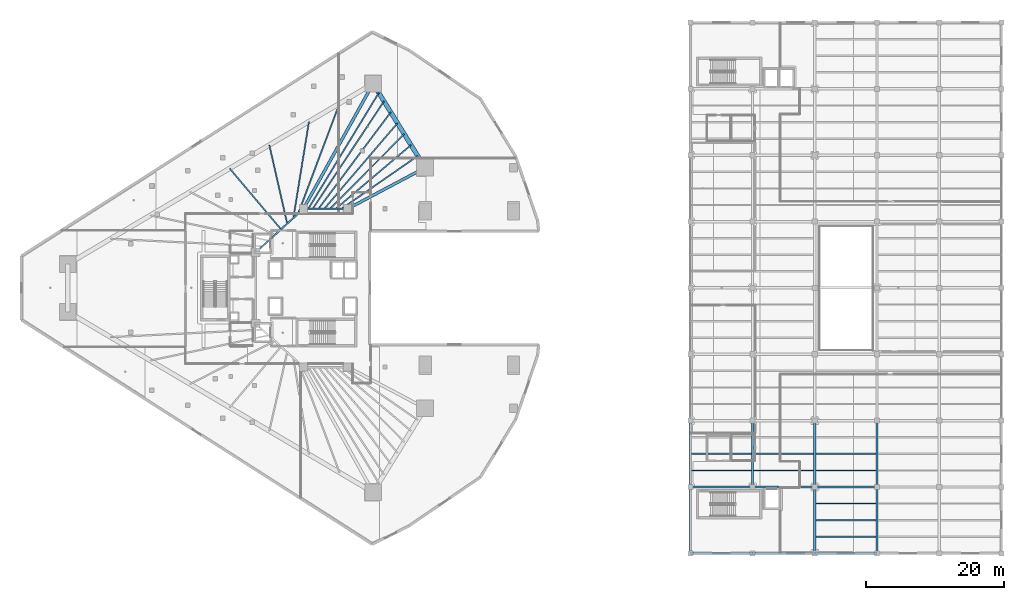
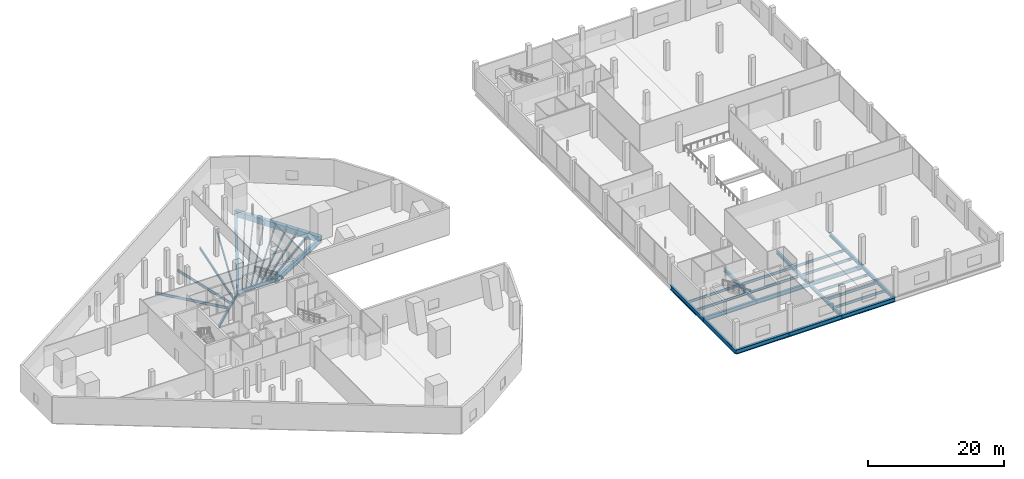
# One storey, part 2 of 47: 38 beams.
"""IFC4 building model written with IfcOpenShell, lengths in metres."""

from ifc_helpers import new_model, si_unit, direction, frame, origin, origin_2d, place, context, subcontext, project, spatial, rectangle, i_section, extrude, material, material_profile, profile_set, type_object, element, save


model = new_model("IFC4")

# Units and contexts
model_context = context("Model", 3, precision=1e-05, world=origin(), true_north=direction((0.0, 1.0)))
body_context = subcontext(model_context, "Body", "Model", "MODEL_VIEW")
ifc_project = project(units=[si_unit("LENGTHUNIT", "METRE"), si_unit("AREAUNIT", "SQUARE_METRE"), si_unit("VOLUMEUNIT", "CUBIC_METRE"), si_unit("PLANEANGLEUNIT", "RADIAN"), si_unit("MASSUNIT", "GRAM", prefix="KILO")], contexts=[model_context])

# Site, building, storey
site_placement = place(None, origin())
site = spatial("IfcSite", under=ifc_project, at=site_placement, CompositionType="ELEMENT")
building_placement = place(site_placement, origin())
building = spatial("IfcBuilding", under=site, at=building_placement, Name="Qorvath Tower", CompositionType="ELEMENT")
storey_placement = place(building_placement, frame((0.0, 0.0, 12.0)))
storey = spatial("IfcBuildingStorey", under=building, at=storey_placement, Name="L02", CompositionType="ELEMENT", Elevation=12.0)

# Beams
ifc_material_1 = material(Name="Steel ASTM A992 Grade 50", Category="steel")
ifc_material_profile_1 = material_profile(ifc_material_1, i_section(OverallWidth=0.422119140625, OverallDepth=0.93310546875, WebThickness=0.021240234375, FlangeThickness=0.039794921875, FilletRadius=0.02392578125, at=origin_2d()), Name="W36x262")
ifc_profile_set_1 = profile_set([ifc_material_profile_1], Name="Steel ASTM A992 Grade 50")
beam_type_1 = type_object("IfcBeamType", Name="BM-FG1", PredefinedType="BEAM", material=ifc_profile_set_1)
beam_1_placement = place(storey_placement, frame((-23.60009765625, 11.449951171875, -0.7265625), z_axis=(0.486174725137, 0.873861623278, 0.0), x_axis=(-0.873861623278, 0.486174725137, 0.0)))
element("IfcBeam", 1, at=beam_1_placement, inside=storey, type_object=beam_type_1, Name="Radial Floor Girder CC1-MC6 L02", PredefinedType="BEAM", context=body_context, shape_type="SweptSolid", body=[
    extrude(i_section(OverallWidth=0.422119140625, OverallDepth=0.93310546875, WebThickness=0.021240234375, FlangeThickness=0.039794921875, FilletRadius=0.02392578125, at=origin_2d()), origin(), (0.0, 0.0, 1.0), 20.7333984375),
])
beam_2_placement = place(storey_placement, frame((-17.199951171875, 11.449951171875, -0.7265625), z_axis=(0.883116467191, 0.469153818461, 0.0), x_axis=(-0.469153818461, 0.883116467191, 0.0)))
element("IfcBeam", 2, at=beam_2_placement, inside=storey, type_object=beam_type_1, Name="Radial Floor Girder CC2-MC5 L02", PredefinedType="BEAM", context=body_context, shape_type="SweptSolid", body=[
    extrude(i_section(OverallWidth=0.422119140625, OverallDepth=0.93310546875, WebThickness=0.021240234375, FlangeThickness=0.039794921875, FilletRadius=0.02392578125, at=origin_2d()), origin(), (0.0, 0.0, 1.0), 12.682373046875),
])
ifc_material_2 = material(Name="Steel ASTM A992 Grade 50", Category="steel")
ifc_material_profile_2 = material_profile(ifc_material_2, i_section(OverallWidth=0.381103515625, OverallDepth=0.77294921875, WebThickness=0.0166015625, FlangeThickness=0.027099609375, FilletRadius=0.01904296875, at=origin_2d()), Name="W30x173")
ifc_profile_set_2 = profile_set([ifc_material_profile_2], Name="Steel ASTM A992 Grade 50")
beam_type_2 = type_object("IfcBeamType", Name="BM-FG3", PredefinedType="BEAM", material=ifc_profile_set_2)
for number, where, z_axis, x_axis, name in (
    (3, (32.39990234375, -38.39990234375, -0.646484375), (1.0, 0.0, 0.0), (0.0, 1.0, 0.0), "Library E-W Girder L02-1-1"),
    (4, (41.39990234375, -38.39990234375, -0.646484375), (1.0, 0.0, 0.0), (0.0, 1.0, 0.0), "Library E-W Girder L02-1-2"),
    (5, (50.39990234375, -38.39990234375, -0.646484375), (1.0, 0.0, 0.0), (0.0, 1.0, 0.0), "Library E-W Girder L02-1-3"),
):
    element("IfcBeam", number, at=place(storey_placement, frame(where, z_axis=z_axis, x_axis=x_axis)), inside=storey, type_object=beam_type_2, Name=name, PredefinedType="BEAM", context=body_context, shape_type="SweptSolid", body=[
        extrude(i_section(OverallWidth=0.381103515625, OverallDepth=0.77294921875, WebThickness=0.0166015625, FlangeThickness=0.027099609375, FilletRadius=0.01904296875, at=origin_2d()), origin(), (0.0, 0.0, 1.0), 9.0),
    ])
beam_3_placement = place(storey_placement, frame((32.39990234375, -38.39990234375, -0.646484375), z_axis=(0.0, 1.0, 0.0), x_axis=(-1.0, 0.0, 0.0)))
element("IfcBeam", 6, at=beam_3_placement, inside=storey, type_object=beam_type_2, Name="Library N-S Girder L02-1-1", PredefinedType="BEAM", context=body_context, shape_type="SweptSolid", body=[
    extrude(i_section(OverallWidth=0.381103515625, OverallDepth=0.77294921875, WebThickness=0.0166015625, FlangeThickness=0.027099609375, FilletRadius=0.01904296875, at=origin_2d()), origin(), (0.0, 0.0, 1.0), 9.599853515625),
])
beam_4_placement = place(storey_placement, frame((32.39990234375, -28.800048828125, -0.646484375), z_axis=(0.0, 1.0, 0.0), x_axis=(-1.0, 0.0, 0.0)))
element("IfcBeam", 7, at=beam_4_placement, inside=storey, type_object=beam_type_2, Name="Library N-S Girder L02-1-2", PredefinedType="BEAM", context=body_context, shape_type="SweptSolid", body=[
    extrude(i_section(OverallWidth=0.381103515625, OverallDepth=0.77294921875, WebThickness=0.0166015625, FlangeThickness=0.027099609375, FilletRadius=0.01904296875, at=origin_2d()), origin(), (0.0, 0.0, 1.0), 9.60009765625),
])
ifc_material_3 = material(Name="Steel ASTM A992 Grade 50", Category="steel")
ifc_material_profile_3 = material_profile(ifc_material_3, i_section(OverallWidth=0.35595703125, OverallDepth=0.696044921875, WebThickness=0.015380859375, FlangeThickness=0.02490234375, FilletRadius=0.01806640625, at=origin_2d()), Name="W27x146")
ifc_profile_set_3 = profile_set([ifc_material_profile_3], Name="Steel ASTM A992 Grade 50")
beam_type_3 = type_object("IfcBeamType", Name="BM-FG4", PredefinedType="BEAM", material=ifc_profile_set_3)
for number, where, z_axis, x_axis, name in (
    (8, (32.39990234375, -28.800048828125, -0.60791015625), (1.0, 0.0, 0.0), (0.0, 1.0, 0.0), "Library E-W Girder L02-2-1"),
    (9, (41.39990234375, -28.800048828125, -0.60791015625), (1.0, 0.0, 0.0), (0.0, 1.0, 0.0), "Library E-W Girder L02-2-2"),
    (10, (50.39990234375, -28.800048828125, -0.60791015625), (1.0, 0.0, 0.0), (0.0, 1.0, 0.0), "Library E-W Girder L02-2-3"),
):
    element("IfcBeam", number, at=place(storey_placement, frame(where, z_axis=z_axis, x_axis=x_axis)), inside=storey, type_object=beam_type_3, Name=name, PredefinedType="BEAM", context=body_context, shape_type="SweptSolid", body=[
        extrude(i_section(OverallWidth=0.35595703125, OverallDepth=0.696044921875, WebThickness=0.015380859375, FlangeThickness=0.02490234375, FilletRadius=0.01806640625, at=origin_2d()), origin(), (0.0, 0.0, 1.0), 9.0),
    ])
ifc_material_4 = material(Name="Steel ASTM A992 Grade 50", Category="steel")
ifc_material_profile_4 = material_profile(ifc_material_4, i_section(OverallWidth=0.324951171875, OverallDepth=0.615966796875, WebThickness=0.013916015625, FlangeThickness=0.021484375, FilletRadius=0.01611328125, at=origin_2d()), Name="W24x117")
ifc_profile_set_4 = profile_set([ifc_material_profile_4], Name="Steel ASTM A992 Grade 50")
beam_type_4 = type_object("IfcBeamType", Name="BM-FG5", PredefinedType="BEAM", material=ifc_profile_set_4)
beam_5_placement = place(storey_placement, frame((41.39990234375, -28.800048828125, -0.568115234375), z_axis=(0.0, 1.0, 0.0), x_axis=(-1.0, 0.0, 0.0)))
element("IfcBeam", 11, at=beam_5_placement, inside=storey, type_object=beam_type_4, Name="Library N-S Girder L02-2-2", PredefinedType="BEAM", context=body_context, shape_type="SweptSolid", body=[
    extrude(i_section(OverallWidth=0.324951171875, OverallDepth=0.615966796875, WebThickness=0.013916015625, FlangeThickness=0.021484375, FilletRadius=0.01611328125, at=origin_2d()), origin(), (0.0, 0.0, 1.0), 9.60009765625),
])
beam_6_placement = place(storey_placement, frame((50.39990234375, -38.39990234375, -0.568115234375), z_axis=(0.0, 1.0, 0.0), x_axis=(-1.0, 0.0, 0.0)))
element("IfcBeam", 12, at=beam_6_placement, inside=storey, type_object=beam_type_4, Name="Library N-S Girder L02-3-1", PredefinedType="BEAM", context=body_context, shape_type="SweptSolid", body=[
    extrude(i_section(OverallWidth=0.324951171875, OverallDepth=0.615966796875, WebThickness=0.013916015625, FlangeThickness=0.021484375, FilletRadius=0.01611328125, at=origin_2d()), origin(), (0.0, 0.0, 1.0), 9.599853515625),
])
beam_7_placement = place(storey_placement, frame((50.39990234375, -28.800048828125, -0.568115234375), z_axis=(0.0, 1.0, 0.0), x_axis=(-1.0, 0.0, 0.0)))
element("IfcBeam", 13, at=beam_7_placement, inside=storey, type_object=beam_type_4, Name="Library N-S Girder L02-3-2", PredefinedType="BEAM", context=body_context, shape_type="SweptSolid", body=[
    extrude(i_section(OverallWidth=0.324951171875, OverallDepth=0.615966796875, WebThickness=0.013916015625, FlangeThickness=0.021484375, FilletRadius=0.01611328125, at=origin_2d()), origin(), (0.0, 0.0, 1.0), 9.60009765625),
])
beam_8_placement = place(storey_placement, frame((59.39990234375, -38.39990234375, -0.568115234375), z_axis=(0.0, 1.0, 0.0), x_axis=(-1.0, 0.0, 0.0)))
element("IfcBeam", 14, at=beam_8_placement, inside=storey, type_object=beam_type_4, Name="Library N-S Girder L02-4-1", PredefinedType="BEAM", context=body_context, shape_type="SweptSolid", body=[
    extrude(i_section(OverallWidth=0.324951171875, OverallDepth=0.615966796875, WebThickness=0.013916015625, FlangeThickness=0.021484375, FilletRadius=0.01611328125, at=origin_2d()), origin(), (0.0, 0.0, 1.0), 9.599853515625),
])
beam_9_placement = place(storey_placement, frame((59.39990234375, -28.800048828125, -0.568115234375), z_axis=(0.0, 1.0, 0.0), x_axis=(-1.0, 0.0, 0.0)))
element("IfcBeam", 15, at=beam_9_placement, inside=storey, type_object=beam_type_4, Name="Library N-S Girder L02-4-2", PredefinedType="BEAM", context=body_context, shape_type="SweptSolid", body=[
    extrude(i_section(OverallWidth=0.324951171875, OverallDepth=0.615966796875, WebThickness=0.013916015625, FlangeThickness=0.021484375, FilletRadius=0.01611328125, at=origin_2d()), origin(), (0.0, 0.0, 1.0), 9.60009765625),
])
ifc_material_5 = material(Name="Steel ASTM A992 Grade 50", Category="steel")
ifc_material_profile_5 = material_profile(ifc_material_5, i_section(OverallWidth=0.22998046875, OverallDepth=0.616943359375, WebThickness=0.01318359375, FlangeThickness=0.022216796875, FilletRadius=0.014892578125, at=origin_2d()), Name="W24x94")
ifc_profile_set_5 = profile_set([ifc_material_profile_5], Name="Steel ASTM A992 Grade 50")
beam_type_5 = type_object("IfcBeamType", Name="BM-FG6", PredefinedType="BEAM", material=ifc_profile_set_5)
beam_10_placement = place(storey_placement, frame((-23.60009765625, 11.449951171875, -0.568603515625), z_axis=(1.0, 0.0, 0.0), x_axis=(0.0, 1.0, 0.0)))
element("IfcBeam", 16, at=beam_10_placement, inside=storey, type_object=beam_type_5, Name="Core Ring Girder CC1-CC2 L02", PredefinedType="BEAM", context=body_context, shape_type="SweptSolid", body=[
    extrude(i_section(OverallWidth=0.22998046875, OverallDepth=0.616943359375, WebThickness=0.01318359375, FlangeThickness=0.022216796875, FilletRadius=0.014892578125, at=origin_2d()), origin(), (0.0, 0.0, 1.0), 6.400146484375),
])
beam_11_placement = place(storey_placement, frame((-30.5, 5.14990234375, -0.568603515625), z_axis=(0.73847813985, 0.6742774184, 0.0), x_axis=(-0.6742774184, 0.73847813985, 0.0)))
element("IfcBeam", 17, at=beam_11_placement, inside=storey, type_object=beam_type_5, Name="Core Ring Girder CC5-CC1 L02", PredefinedType="BEAM", context=body_context, shape_type="SweptSolid", body=[
    extrude(i_section(OverallWidth=0.22998046875, OverallDepth=0.616943359375, WebThickness=0.01318359375, FlangeThickness=0.022216796875, FilletRadius=0.014892578125, at=origin_2d()), origin(), (0.0, 0.0, 1.0), 9.343505859375),
])
ifc_material_6 = material(Name="Steel ASTM A992 Grade 50", Category="steel")
ifc_material_profile_6 = material_profile(ifc_material_6, i_section(OverallWidth=0.18994140625, OverallDepth=0.45703125, WebThickness=0.009033203125, FlangeThickness=0.014404296875, FilletRadius=0.011962890625, at=origin_2d()), Name="W18x50")
ifc_profile_set_6 = profile_set([ifc_material_profile_6], Name="Steel ASTM A992 Grade 50")
beam_type_6 = type_object("IfcBeamType", Name="BM-FJ2", PredefinedType="JOIST", material=ifc_profile_set_6)
beam_12_placement = place(storey_placement, frame((-18.095947265625, 11.449951171875, -0.488525390625), z_axis=(0.821904266501, 0.569625646111, 0.0), x_axis=(-0.569625646111, 0.821904266501, 0.0)))
element("IfcBeam", 18, at=beam_12_placement, inside=storey, type_object=beam_type_6, Name="Composite Floor Joist NE1 L02", PredefinedType="JOIST", context=body_context, shape_type="SweptSolid", body=[
    extrude(i_section(OverallWidth=0.18994140625, OverallDepth=0.45703125, WebThickness=0.009033203125, FlangeThickness=0.014404296875, FilletRadius=0.011962890625, at=origin_2d()), origin(), (0.0, 0.0, 1.0), 13.43603515625),
])
beam_13_placement = place(storey_placement, frame((-18.927978515625, 11.449951171875, -0.488525390625), z_axis=(0.762888170757, 0.646530462483, 0.0), x_axis=(-0.646530462483, 0.762888170757, 0.0)))
element("IfcBeam", 19, at=beam_13_placement, inside=storey, type_object=beam_type_6, Name="Composite Floor Joist NE2 L02", PredefinedType="JOIST", context=body_context, shape_type="SweptSolid", body=[
    extrude(i_section(OverallWidth=0.18994140625, OverallDepth=0.45703125, WebThickness=0.009033203125, FlangeThickness=0.014404296875, FilletRadius=0.011962890625, at=origin_2d()), origin(), (0.0, 0.0, 1.0), 14.284423828125),
])
beam_14_placement = place(storey_placement, frame((-19.760009765625, 11.449951171875, -0.488525390625), z_axis=(0.704966562097, 0.709240541935, 0.0), x_axis=(-0.709240541935, 0.704966562097, 0.0)))
element("IfcBeam", 20, at=beam_14_placement, inside=storey, type_object=beam_type_6, Name="Composite Floor Joist NE3 L02", PredefinedType="JOIST", context=body_context, shape_type="SweptSolid", body=[
    extrude(i_section(OverallWidth=0.18994140625, OverallDepth=0.45703125, WebThickness=0.009033203125, FlangeThickness=0.014404296875, FilletRadius=0.011962890625, at=origin_2d()), origin(), (0.0, 0.0, 1.0), 15.251708984375),
])
beam_15_placement = place(storey_placement, frame((-20.592041015625, 11.449951171875, -0.488525390625), z_axis=(0.650034471724, 0.759904721376, 0.0), x_axis=(-0.759904721376, 0.650034471724, 0.0)))
element("IfcBeam", 21, at=beam_15_placement, inside=storey, type_object=beam_type_6, Name="Composite Floor Joist NE4 L02", PredefinedType="JOIST", context=body_context, shape_type="SweptSolid", body=[
    extrude(i_section(OverallWidth=0.18994140625, OverallDepth=0.45703125, WebThickness=0.009033203125, FlangeThickness=0.014404296875, FilletRadius=0.011962890625, at=origin_2d()), origin(), (0.0, 0.0, 1.0), 16.316650390625),
])
beam_16_placement = place(storey_placement, frame((-21.424072265625, 11.449951171875, -0.488525390625), z_axis=(0.599091356813, 0.800680676794, 0.0), x_axis=(-0.800680676794, 0.599091356813, 0.0)))
element("IfcBeam", 22, at=beam_16_placement, inside=storey, type_object=beam_type_6, Name="Composite Floor Joist NE5 L02", PredefinedType="JOIST", context=body_context, shape_type="SweptSolid", body=[
    extrude(i_section(OverallWidth=0.18994140625, OverallDepth=0.45703125, WebThickness=0.009033203125, FlangeThickness=0.014404296875, FilletRadius=0.011962890625, at=origin_2d()), origin(), (0.0, 0.0, 1.0), 17.46142578125),
])
beam_17_placement = place(storey_placement, frame((-22.256103515625, 11.449951171875, -0.488525390625), z_axis=(0.552474288131, 0.833529940047, 0.0), x_axis=(-0.833529940047, 0.552474288131, 0.0)))
element("IfcBeam", 23, at=beam_17_placement, inside=storey, type_object=beam_type_6, Name="Composite Floor Joist NE6 L02", PredefinedType="JOIST", context=body_context, shape_type="SweptSolid", body=[
    extrude(i_section(OverallWidth=0.18994140625, OverallDepth=0.45703125, WebThickness=0.009033203125, FlangeThickness=0.014404296875, FilletRadius=0.011962890625, at=origin_2d()), origin(), (0.0, 0.0, 1.0), 18.6708984375),
])
beam_18_placement = place(storey_placement, frame((-22.89599609375, 11.449951171875, -0.488525390625), z_axis=(0.519556443318, 0.854436131145, 0.0), x_axis=(-0.854436131145, 0.519556443318, 0.0)))
element("IfcBeam", 24, at=beam_18_placement, inside=storey, type_object=beam_type_6, Name="Composite Floor Joist NE7 L02", PredefinedType="JOIST", context=body_context, shape_type="SweptSolid", body=[
    extrude(i_section(OverallWidth=0.18994140625, OverallDepth=0.45703125, WebThickness=0.009033203125, FlangeThickness=0.014404296875, FilletRadius=0.011962890625, at=origin_2d()), origin(), (0.0, 0.0, 1.0), 19.63818359375),
])
beam_19_placement = place(storey_placement, frame((-26.843017578125, 8.489013671875, -0.488525390625), z_axis=(-0.644958726494, 0.764217404355, 0.0), x_axis=(-0.764217404355, -0.644958726494, 0.0)))
element("IfcBeam", 25, at=beam_19_placement, inside=storey, type_object=beam_type_6, Name="Composite Floor Joist NW4 L02", PredefinedType="JOIST", context=body_context, shape_type="SweptSolid", body=[
    extrude(i_section(OverallWidth=0.18994140625, OverallDepth=0.45703125, WebThickness=0.009033203125, FlangeThickness=0.014404296875, FilletRadius=0.011962890625, at=origin_2d()), origin(), (0.0, 0.0, 1.0), 11.5234375),
])
beam_20_placement = place(storey_placement, frame((-25.946044921875, 9.30810546875, -0.488525390625), z_axis=(-0.221751282053, 0.975103260639, 0.0), x_axis=(-0.975103260639, -0.221751282053, 0.0)))
element("IfcBeam", 26, at=beam_20_placement, inside=storey, type_object=beam_type_6, Name="Composite Floor Joist NW5 L02", PredefinedType="JOIST", context=body_context, shape_type="SweptSolid", body=[
    extrude(i_section(OverallWidth=0.18994140625, OverallDepth=0.45703125, WebThickness=0.009033203125, FlangeThickness=0.014404296875, FilletRadius=0.011962890625, at=origin_2d()), origin(), (0.0, 0.0, 1.0), 11.67236328125),
])
beam_21_placement = place(storey_placement, frame((-25.049072265625, 10.126953125, -0.488525390625), z_axis=(0.159519083064, 0.987194845073, 0.0), x_axis=(-0.987194845073, 0.159519083064, 0.0)))
element("IfcBeam", 27, at=beam_21_placement, inside=storey, type_object=beam_type_6, Name="Composite Floor Joist NW6 L02", PredefinedType="JOIST", context=body_context, shape_type="SweptSolid", body=[
    extrude(i_section(OverallWidth=0.18994140625, OverallDepth=0.45703125, WebThickness=0.009033203125, FlangeThickness=0.014404296875, FilletRadius=0.011962890625, at=origin_2d()), origin(), (0.0, 0.0, 1.0), 14.138671875),
])
beam_22_placement = place(storey_placement, frame((-24.35888671875, 10.757080078125, -0.488525390625), z_axis=(0.351338742889, 0.936248411344, 0.0), x_axis=(-0.936248411344, 0.351338742889, 0.0)))
element("IfcBeam", 28, at=beam_22_placement, inside=storey, type_object=beam_type_6, Name="Composite Floor Joist NW7 L02", PredefinedType="JOIST", context=body_context, shape_type="SweptSolid", body=[
    extrude(i_section(OverallWidth=0.18994140625, OverallDepth=0.45703125, WebThickness=0.009033203125, FlangeThickness=0.014404296875, FilletRadius=0.011962890625, at=origin_2d()), origin(), (0.0, 0.0, 1.0), 17.02392578125),
])
for number, where, z_axis, x_axis, name in (
    (29, (50.560546875, -36.0, -0.488525390625), (1.0, 0.0, 0.0), (0.0, 1.0, 0.0), "Library Stack Joist L02-1.1-3"),
    (30, (50.560546875, -33.60009765625, -0.488525390625), (1.0, 0.0, 0.0), (0.0, 1.0, 0.0), "Library Stack Joist L02-1.2-3"),
    (31, (50.560546875, -31.199951171875, -0.488525390625), (1.0, 0.0, 0.0), (0.0, 1.0, 0.0), "Library Stack Joist L02-1.3-3"),
):
    element("IfcBeam", number, at=place(storey_placement, frame(where, z_axis=z_axis, x_axis=x_axis)), inside=storey, type_object=beam_type_6, Name=name, PredefinedType="JOIST", context=body_context, shape_type="SweptSolid", body=[
        extrude(i_section(OverallWidth=0.18994140625, OverallDepth=0.45703125, WebThickness=0.009033203125, FlangeThickness=0.014404296875, FilletRadius=0.011962890625, at=origin_2d()), origin(), (0.0, 0.0, 1.0), 8.678955078125),
    ])
beam_23_placement = place(storey_placement, frame((32.58837890625, -26.39990234375, -0.488525390625), z_axis=(1.0, 0.0, 0.0), x_axis=(0.0, 1.0, 0.0)))
element("IfcBeam", 32, at=beam_23_placement, inside=storey, type_object=beam_type_6, Name="Library Stack Joist L02-2.1-1", PredefinedType="JOIST", context=body_context, shape_type="SweptSolid", body=[
    extrude(i_section(OverallWidth=0.18994140625, OverallDepth=0.45703125, WebThickness=0.009033203125, FlangeThickness=0.014404296875, FilletRadius=0.011962890625, at=origin_2d()), origin(), (0.0, 0.0, 1.0), 8.651123046875),
])
for number, where, z_axis, x_axis, name in (
    (33, (41.560546875, -26.39990234375, -0.488525390625), (1.0, 0.0, 0.0), (0.0, 1.0, 0.0), "Library Stack Joist L02-2.1-2"),
    (34, (50.560546875, -26.39990234375, -0.488525390625), (1.0, 0.0, 0.0), (0.0, 1.0, 0.0), "Library Stack Joist L02-2.1-3"),
):
    element("IfcBeam", number, at=place(storey_placement, frame(where, z_axis=z_axis, x_axis=x_axis)), inside=storey, type_object=beam_type_6, Name=name, PredefinedType="JOIST", context=body_context, shape_type="SweptSolid", body=[
        extrude(i_section(OverallWidth=0.18994140625, OverallDepth=0.45703125, WebThickness=0.009033203125, FlangeThickness=0.014404296875, FilletRadius=0.011962890625, at=origin_2d()), origin(), (0.0, 0.0, 1.0), 8.678955078125),
    ])
beam_24_placement = place(storey_placement, frame((32.58837890625, -24.0, -0.488525390625), z_axis=(1.0, 0.0, 0.0), x_axis=(0.0, 1.0, 0.0)))
element("IfcBeam", 35, at=beam_24_placement, inside=storey, type_object=beam_type_6, Name="Library Stack Joist L02-2.2-1", PredefinedType="JOIST", context=body_context, shape_type="SweptSolid", body=[
    extrude(i_section(OverallWidth=0.18994140625, OverallDepth=0.45703125, WebThickness=0.009033203125, FlangeThickness=0.014404296875, FilletRadius=0.011962890625, at=origin_2d()), origin(), (0.0, 0.0, 1.0), 8.651123046875),
])
for number, where, z_axis, x_axis, name in (
    (36, (41.560546875, -24.0, -0.488525390625), (1.0, 0.0, 0.0), (0.0, 1.0, 0.0), "Library Stack Joist L02-2.2-2"),
    (37, (50.560546875, -24.0, -0.488525390625), (1.0, 0.0, 0.0), (0.0, 1.0, 0.0), "Library Stack Joist L02-2.2-3"),
):
    element("IfcBeam", number, at=place(storey_placement, frame(where, z_axis=z_axis, x_axis=x_axis)), inside=storey, type_object=beam_type_6, Name=name, PredefinedType="JOIST", context=body_context, shape_type="SweptSolid", body=[
        extrude(i_section(OverallWidth=0.18994140625, OverallDepth=0.45703125, WebThickness=0.009033203125, FlangeThickness=0.014404296875, FilletRadius=0.011962890625, at=origin_2d()), origin(), (0.0, 0.0, 1.0), 8.678955078125),
    ])
ifc_material_7 = material(Name="Concrete C50/60", Category="concrete")
ifc_material_profile_7 = material_profile(ifc_material_7, rectangle(XDim=0.64990234375, YDim=1.0, at=origin_2d()), Name="RCB 1000x650")
ifc_profile_set_7 = profile_set([ifc_material_profile_7], Name="Concrete C50/60")
beam_type_7 = type_object("IfcBeamType", Name="BM-RCB1", PredefinedType="SPANDREL", material=ifc_profile_set_7)
beam_25_placement = place(storey_placement, frame((-6.0, 17.39990234375, -0.760009765625), z_axis=(-0.525713426157, 0.850661738624, 0.0), x_axis=(-0.850661738624, -0.525713426157, 0.0)))
element("IfcBeam", 38, at=beam_25_placement, inside=storey, type_object=beam_type_7, Name="Perimeter Loggia Frame Beam MC5-MC6 L02", PredefinedType="SPANDREL", context=body_context, shape_type="SweptSolid", body=[
    extrude(rectangle(XDim=0.64990234375, YDim=1.0, at=origin_2d()), origin(), (0.0, 0.0, 1.0), 14.304443359375),
])

save(model, "model.ifc")
